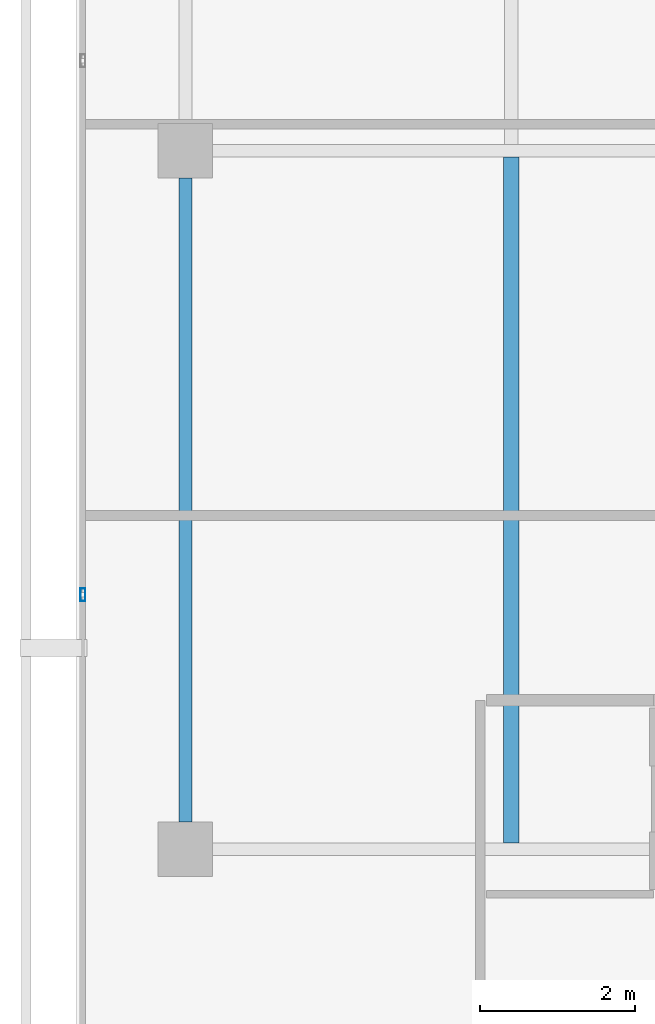
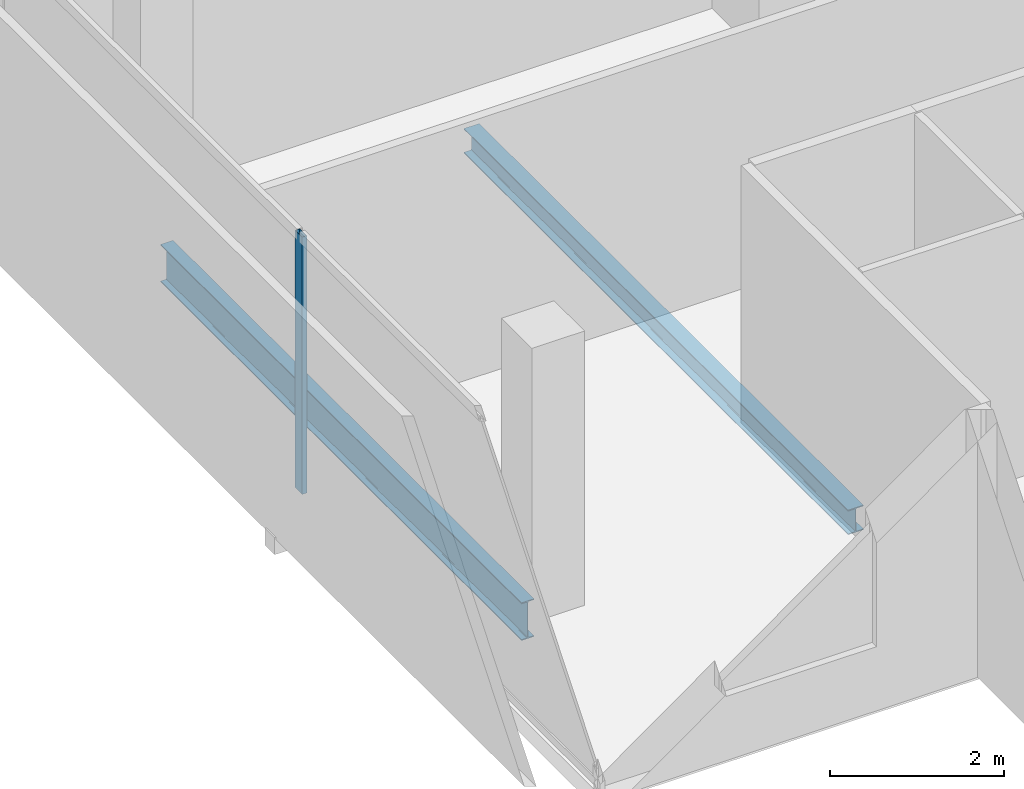
# One storey, part 4 of 26: 2 beams, 1 member, 1 element without a shape of its own.
"""IFC4 building model written with IfcOpenShell, lengths in metres."""

from ifc_helpers import new_model, si_unit, direction, frame, origin, origin_2d, place, context, subcontext, project, spatial, hollow_rectangle, i_section, extrude, material, layer, layer_set, material_profile, profile_set, type_object, element, aggregate, save


model = new_model("IFC4")

# Units and contexts
model_context = context("Model", 3, precision=1e-05, world=origin(), true_north=direction((0.0, 1.0)))
body_context = subcontext(model_context, "Body", "Model", "MODEL_VIEW")
ifc_project = project(units=[si_unit("LENGTHUNIT", "METRE"), si_unit("AREAUNIT", "SQUARE_METRE"), si_unit("VOLUMEUNIT", "CUBIC_METRE"), si_unit("PLANEANGLEUNIT", "RADIAN"), si_unit("MASSUNIT", "GRAM", prefix="KILO")], contexts=[model_context])

# Site, building, storey
site_placement = place(None, origin())
site = spatial("IfcSite", under=ifc_project, at=site_placement, CompositionType="ELEMENT")
building_placement = place(site_placement, origin())
building = spatial("IfcBuilding", under=site, at=building_placement, Name="Maruvema Waterfront Hotel and Observation Tower", CompositionType="ELEMENT")
storey_placement = place(building_placement, frame((0.0, 0.0, 285.60009765625)))
storey = spatial("IfcBuildingStorey", under=building, at=storey_placement, Name="L70", CompositionType="ELEMENT", Elevation=285.60009765625)

# Curtain wall, member
ifc_material_1 = material(Name="Anodised bronze aluminium and solar-control low-E IGU", Category="aluminium")
ifc_layer = layer(ifc_material_1, 0.159912109375, Name="Zone 3 Champagne Inner Thermal Curtain Wall System CW-04")
ifc_layer_set = layer_set([ifc_layer], Name="Anodised bronze aluminium and solar-control low-E IGU")
curtain_wall_type = type_object("IfcCurtainWallType", Name="Zone 3 Champagne Inner Thermal Curtain Wall System CW-04", PredefinedType="USERDEFINED", material=ifc_layer_set)
curtain_wall_placement = place(storey_placement, origin())
curtain_wall = element("IfcCurtainWall", 1, at=curtain_wall_placement, inside=storey, type_object=curtain_wall_type, Name="L70 Curtain Wall CW-L70-W", ObjectType="UNITISED CURTAIN WALL", PredefinedType="USERDEFINED")
ifc_material_2 = material(Name="Anodised architectural bronze aluminium", Category="aluminium")
ifc_material_profile_1 = material_profile(ifc_material_2, hollow_rectangle(XDim=0.06494140625, YDim=0.1650390625, WallThickness=0.00390625, at=origin_2d()), Name="ALU-M65x165")
ifc_profile_set_1 = profile_set([ifc_material_profile_1], Name="Anodised architectural bronze aluminium")
member_type = type_object("IfcMemberType", Name="Curtain Wall Primary Mullion ALU-M65x165", PredefinedType="MULLION", material=ifc_profile_set_1)
member_placement = place(storey_placement, frame((15.47998046875, 21.280029296875, 0.0), z_axis=(0.0, 0.0, 1.0), x_axis=(1.0, 0.0, 0.0)))
member = element("IfcMember", 2, at=member_placement, type_object=member_type, Name="CW-04 mullion 5", PredefinedType="MULLION", context=body_context, shape_type="SweptSolid", body=[
    extrude(hollow_rectangle(XDim=0.06494140625, YDim=0.1650390625, WallThickness=0.00390625, at=origin_2d()), origin(), (0.0, 0.0, 1.0), 3.60986328125),
])
aggregate(curtain_wall, [member])

# Beams
ifc_material_3 = material(Name="Steel ASTM A572 Grade 50", Category="steel")
ifc_material_profile_2 = material_profile(ifc_material_3, i_section(OverallWidth=0.166015625, OverallDepth=0.529052734375, WebThickness=0.009765625, FlangeThickness=0.013671875, FilletRadius=0.014892578125, at=origin_2d()), Name="W530x74.0")
ifc_profile_set_2 = profile_set([ifc_material_profile_2], Name="Steel ASTM A572 Grade 50")
beam_type_1 = type_object("IfcBeamType", Name="Primary Floor Girder W530x74.0", PredefinedType="BEAM", material=ifc_profile_set_2)
beam_1_placement = place(storey_placement, frame((16.800048828125, 18.35009765625, -0.504638671875), z_axis=(0.0, 1.0, 0.0), x_axis=(-1.0, 0.0, 0.0)))
element("IfcBeam", 3, at=beam_1_placement, inside=storey, type_object=beam_type_1, Name="L70 Floor Girder NS-01", PredefinedType="BEAM", context=body_context, shape_type="SweptSolid", body=[
    extrude(i_section(OverallWidth=0.166015625, OverallDepth=0.529052734375, WebThickness=0.009765625, FlangeThickness=0.013671875, FilletRadius=0.014892578125, at=origin_2d()), origin(), (0.0, 0.0, 1.0), 8.2998046875),
])
ifc_material_4 = material(Name="Steel ASTM A572 Grade 50", Category="steel")
ifc_material_profile_3 = material_profile(ifc_material_4, i_section(OverallWidth=0.202880859375, OverallDepth=0.346923828125, WebThickness=0.0078125, FlangeThickness=0.013427734375, FilletRadius=0.014892578125, at=origin_2d()), Name="W360x64.0")
ifc_profile_set_3 = profile_set([ifc_material_profile_3], Name="Steel ASTM A572 Grade 50")
beam_type_2 = type_object("IfcBeamType", Name="Secondary Floor Joist W360x64.0", PredefinedType="JOIST", material=ifc_profile_set_3)
beam_2_placement = place(storey_placement, frame((21.0, 18.0830078125, -0.41357421875), z_axis=(0.0, 1.0, 0.0), x_axis=(-1.0, 0.0, 0.0)))
element("IfcBeam", 4, at=beam_2_placement, inside=storey, type_object=beam_type_2, Name="L70 Secondary Floor Joist JS-01", PredefinedType="JOIST", context=body_context, shape_type="SweptSolid", body=[
    extrude(i_section(OverallWidth=0.202880859375, OverallDepth=0.346923828125, WebThickness=0.0078125, FlangeThickness=0.013427734375, FilletRadius=0.014892578125, at=origin_2d()), origin(), (0.0, 0.0, 1.0), 8.833984375),
])

save(model, "model.ifc")
